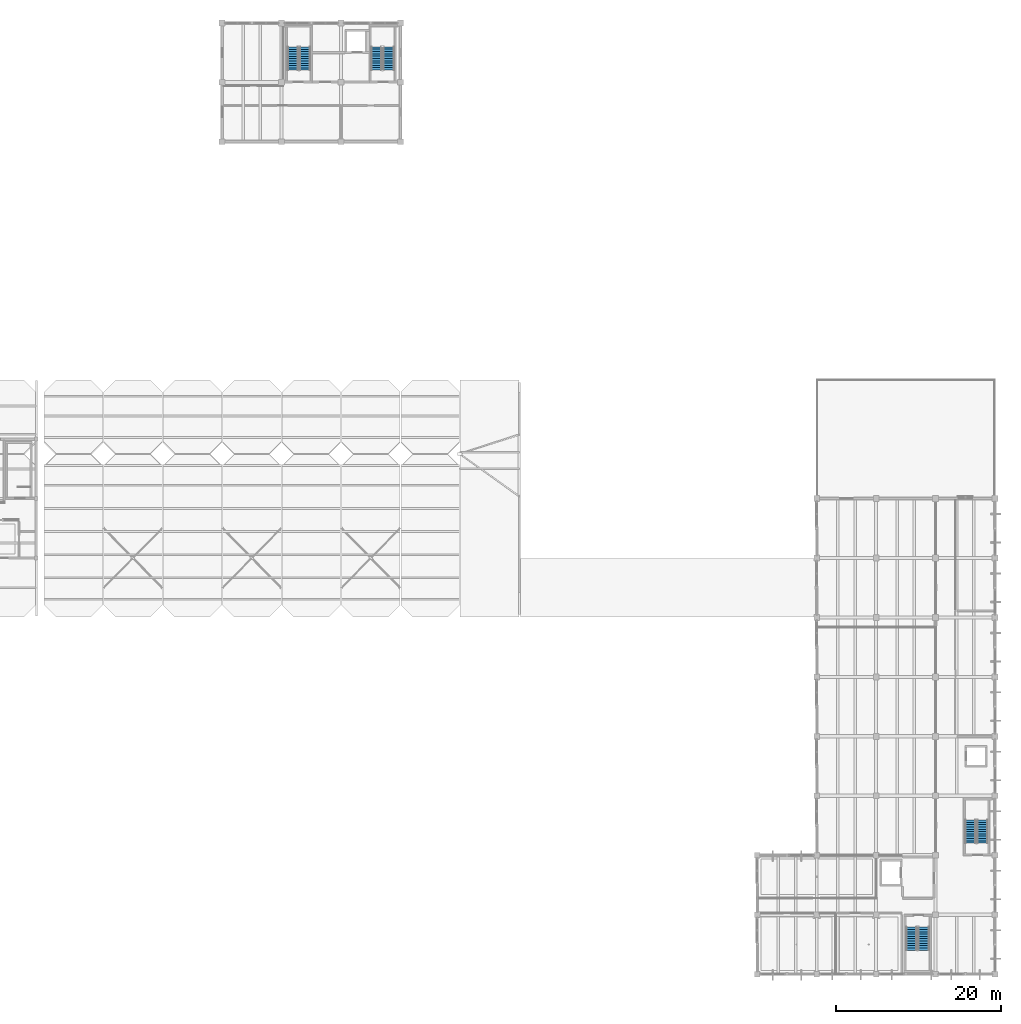
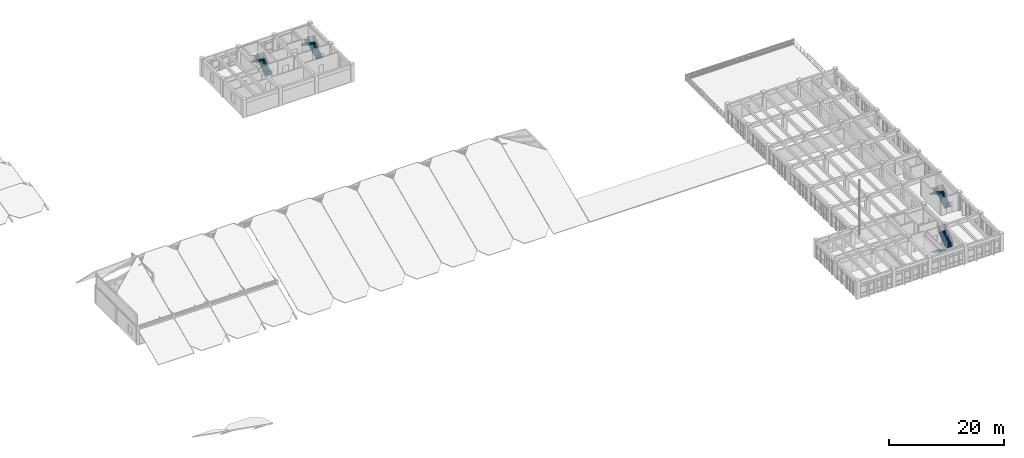
# One storey, part 44 of 54: 8 stair flights, 4 elements without a shape of their own.
"""IFC4 building model written with IfcOpenShell, lengths in metres."""

from ifc_helpers import new_model, si_unit, direction, frame, origin, place, context, subcontext, project, spatial, polyline, outline, extrude, material, type_object, element, aggregate, save


model = new_model("IFC4")

# Units and contexts
model_context = context("Model", 3, precision=1e-05, world=origin(), true_north=direction((0.0, 1.0)))
body_context = subcontext(model_context, "Body", "Model", "MODEL_VIEW")
ifc_project = project(units=[si_unit("LENGTHUNIT", "METRE"), si_unit("AREAUNIT", "SQUARE_METRE"), si_unit("VOLUMEUNIT", "CUBIC_METRE"), si_unit("PLANEANGLEUNIT", "RADIAN"), si_unit("MASSUNIT", "GRAM", prefix="KILO")], contexts=[model_context])

# Site, building, storey
site_placement = place(None, origin())
site = spatial("IfcSite", under=ifc_project, at=site_placement, CompositionType="ELEMENT")
building_placement = place(site_placement, origin())
building = spatial("IfcBuilding", under=site, at=building_placement, Name="Koriwan Promenade Central Fire Station", CompositionType="ELEMENT")
storey_placement = place(building_placement, frame((0.0, 0.0, 9.60009765625)))
storey = spatial("IfcBuildingStorey", under=building, at=storey_placement, Name="L02", CompositionType="ELEMENT", Elevation=9.60009765625)

# Stair, stair flights
ifc_material = material(Name="Concrete C35/45", Category="concrete")
stair_type_1 = type_object("IfcStairType", Name="Stair_HALF_22R_1320", PredefinedType="HALF_TURN_STAIR", material=ifc_material)
stair_1_placement = place(storey_placement, origin())
stair_1 = element("IfcStair", 1, at=stair_1_placement, inside=storey, type_object=stair_type_1, Name="L02 Protected Stair ST09", PredefinedType="HALF_TURN_STAIR")
stair_flight_type_1 = type_object("IfcStairFlightType", Name="StairFlight_11R_177H_1320", PredefinedType="STRAIGHT", material=ifc_material)
stair_flight_1_placement = place(storey_placement, frame((89.239990234375, 109.469970703125, 0.0), z_axis=(0.0, 0.0, 1.0), x_axis=(0.0, 1.0, 0.0)))
stair_flight_1 = element("IfcStairFlight", 2, at=stair_flight_1_placement, type_object=stair_flight_type_1, Name="ST09 flight 1", NumberOfRisers=11, NumberOfTreads=10, PredefinedType="STRAIGHT", RiserHeight=0.177272727, TreadLength=0.28, context=body_context, shape_type="SweptSolid", body=[
    extrude(outline(polyline([(0.0, 0.0), (0.0, 0.17724609375), (0.280029296875, 0.17724609375), (0.280029296875, 0.3544921875), (0.56005859375, 0.3544921875), (0.56005859375, 0.53173828125), (0.840087890625, 0.53173828125), (0.840087890625, 0.708984375), (1.1201171875, 0.708984375), (1.1201171875, 0.886474609375), (1.39990234375, 0.886474609375), (1.39990234375, 1.063720703125), (1.679931640625, 1.063720703125), (1.679931640625, 1.240966796875), (1.9599609375, 1.240966796875), (1.9599609375, 1.418212890625), (2.239990234375, 1.418212890625), (2.239990234375, 1.595458984375), (2.52001953125, 1.595458984375), (2.52001953125, 1.772705078125), (2.800048828125, 1.772705078125), (2.800048828125, 1.949951171875), (2.800048828125, 1.59521484375), (0.2802734375, 0.0), (0.0, 0.0)])), frame((0.0, 0.66015625, 0.0), z_axis=(0.0, -1.0, 0.0), x_axis=(1.0, 0.0, 0.0)), (0.0, 0.0, 1.0), 1.320068359375),
])
stair_flight_2_placement = place(storey_placement, frame((87.77001953125, 112.27001953125, 1.949951171875), z_axis=(0.0, 0.0, 1.0), x_axis=(0.0, -1.0, 0.0)))
stair_flight_2 = element("IfcStairFlight", 3, at=stair_flight_2_placement, type_object=stair_flight_type_1, Name="ST09 flight 2", NumberOfRisers=11, NumberOfTreads=10, PredefinedType="STRAIGHT", RiserHeight=0.177272727, TreadLength=0.28, context=body_context, shape_type="SweptSolid", body=[
    extrude(outline(polyline([(0.0, 0.0), (0.0, 0.17724609375), (0.280029296875, 0.17724609375), (0.280029296875, 0.3544921875), (0.56005859375, 0.3544921875), (0.56005859375, 0.53173828125), (0.840087890625, 0.53173828125), (0.840087890625, 0.708984375), (1.1201171875, 0.708984375), (1.1201171875, 0.886474609375), (1.39990234375, 0.886474609375), (1.39990234375, 1.063720703125), (1.679931640625, 1.063720703125), (1.679931640625, 1.240966796875), (1.9599609375, 1.240966796875), (1.9599609375, 1.418212890625), (2.239990234375, 1.418212890625), (2.239990234375, 1.595458984375), (2.52001953125, 1.595458984375), (2.52001953125, 1.772705078125), (2.800048828125, 1.772705078125), (2.800048828125, 1.949951171875), (2.800048828125, 1.59521484375), (0.2802734375, 0.0), (0.0, 0.0)])), frame((0.0, 0.66015625, 0.0), z_axis=(0.0, -1.0, 0.0), x_axis=(1.0, 0.0, 0.0)), (0.0, 0.0, 1.0), 1.320068359375),
])
aggregate(stair_1, [stair_flight_1, stair_flight_2])

stair_2_placement = place(storey_placement, origin())
stair_2 = element("IfcStair", 4, at=stair_2_placement, inside=storey, type_object=stair_type_1, Name="L02 Protected Stair ST27", PredefinedType="HALF_TURN_STAIR")
stair_flight_3_placement = place(storey_placement, frame((171.2900390625, 15.8701171875, 0.0), z_axis=(0.0, 0.0, 1.0), x_axis=(0.0, 1.0, 0.0)))
stair_flight_3 = element("IfcStairFlight", 5, at=stair_flight_3_placement, type_object=stair_flight_type_1, Name="ST27 flight 1", NumberOfRisers=11, NumberOfTreads=10, PredefinedType="STRAIGHT", RiserHeight=0.177272727, TreadLength=0.28, context=body_context, shape_type="SweptSolid", body=[
    extrude(outline(polyline([(0.0, 0.0), (0.0, 0.17724609375), (0.280029296875, 0.17724609375), (0.280029296875, 0.3544921875), (0.56005859375, 0.3544921875), (0.56005859375, 0.53173828125), (0.840087890625, 0.53173828125), (0.840087890625, 0.708984375), (1.1201171875, 0.708984375), (1.1201171875, 0.886474609375), (1.39990234375, 0.886474609375), (1.39990234375, 1.063720703125), (1.679931640625, 1.063720703125), (1.679931640625, 1.240966796875), (1.9599609375, 1.240966796875), (1.9599609375, 1.418212890625), (2.239990234375, 1.418212890625), (2.239990234375, 1.595458984375), (2.52001953125, 1.595458984375), (2.52001953125, 1.772705078125), (2.800048828125, 1.772705078125), (2.800048828125, 1.949951171875), (2.800048828125, 1.59521484375), (0.2802734375, 0.0), (0.0, 0.0)])), frame((0.0, 0.66015625, 0.0), z_axis=(0.0, -1.0, 0.0), x_axis=(1.0, 0.0, 0.0)), (0.0, 0.0, 1.0), 1.320068359375),
])
stair_flight_4_placement = place(storey_placement, frame((169.820068359375, 18.669921875, 1.949951171875), z_axis=(0.0, 0.0, 1.0), x_axis=(0.0, -1.0, 0.0)))
stair_flight_4 = element("IfcStairFlight", 6, at=stair_flight_4_placement, type_object=stair_flight_type_1, Name="ST27 flight 2", NumberOfRisers=11, NumberOfTreads=10, PredefinedType="STRAIGHT", RiserHeight=0.177272727, TreadLength=0.28, context=body_context, shape_type="SweptSolid", body=[
    extrude(outline(polyline([(0.0, 0.0), (0.0, 0.17724609375), (0.280029296875, 0.17724609375), (0.280029296875, 0.3544921875), (0.56005859375, 0.3544921875), (0.56005859375, 0.53173828125), (0.840087890625, 0.53173828125), (0.840087890625, 0.708984375), (1.1201171875, 0.708984375), (1.1201171875, 0.886474609375), (1.39990234375, 0.886474609375), (1.39990234375, 1.063720703125), (1.679931640625, 1.063720703125), (1.679931640625, 1.240966796875), (1.9599609375, 1.240966796875), (1.9599609375, 1.418212890625), (2.239990234375, 1.418212890625), (2.239990234375, 1.595458984375), (2.52001953125, 1.595458984375), (2.52001953125, 1.772705078125), (2.800048828125, 1.772705078125), (2.800048828125, 1.949951171875), (2.800048828125, 1.59521484375), (0.2802734375, 0.0), (0.0, 0.0)])), frame((0.0, 0.66015625, 0.0), z_axis=(0.0, -1.0, 0.0), x_axis=(1.0, 0.0, 0.0)), (0.0, 0.0, 1.0), 1.320068359375),
])
aggregate(stair_2, [stair_flight_3, stair_flight_4])

stair_type_2 = type_object("IfcStairType", Name="Stair_HALF_22R_1340", PredefinedType="HALF_TURN_STAIR", material=ifc_material)
stair_3_placement = place(storey_placement, origin())
stair_3 = element("IfcStair", 7, at=stair_3_placement, inside=storey, type_object=stair_type_2, Name="L02 Protected Stair ST04", PredefinedType="HALF_TURN_STAIR")
stair_flight_type_2 = type_object("IfcStairFlightType", Name="StairFlight_11R_177H_1340", PredefinedType="STRAIGHT", material=ifc_material)
stair_flight_5_placement = place(storey_placement, frame((99.3798828125, 109.489990234375, 0.0), z_axis=(0.0, 0.0, 1.0), x_axis=(0.0, 1.0, 0.0)))
stair_flight_5 = element("IfcStairFlight", 8, at=stair_flight_5_placement, type_object=stair_flight_type_2, Name="ST04 flight 1", NumberOfRisers=11, NumberOfTreads=10, PredefinedType="STRAIGHT", RiserHeight=0.177272727, TreadLength=0.28, context=body_context, shape_type="SweptSolid", body=[
    extrude(outline(polyline([(0.0, 0.0), (0.0, 0.17724609375), (0.280029296875, 0.17724609375), (0.280029296875, 0.3544921875), (0.56005859375, 0.3544921875), (0.56005859375, 0.53173828125), (0.840087890625, 0.53173828125), (0.840087890625, 0.708984375), (1.1201171875, 0.708984375), (1.1201171875, 0.886474609375), (1.39990234375, 0.886474609375), (1.39990234375, 1.063720703125), (1.679931640625, 1.063720703125), (1.679931640625, 1.240966796875), (1.9599609375, 1.240966796875), (1.9599609375, 1.418212890625), (2.239990234375, 1.418212890625), (2.239990234375, 1.595458984375), (2.52001953125, 1.595458984375), (2.52001953125, 1.772705078125), (2.800048828125, 1.772705078125), (2.800048828125, 1.949951171875), (2.800048828125, 1.59521484375), (0.2802734375, 0.0), (0.0, 0.0)])), frame((0.0, 0.669921875, 0.0), z_axis=(0.0, -1.0, 0.0), x_axis=(1.0, 0.0, 0.0)), (0.0, 0.0, 1.0), 1.340087890625),
])
stair_flight_6_placement = place(storey_placement, frame((97.889892578125, 112.2900390625, 1.949951171875), z_axis=(0.0, 0.0, 1.0), x_axis=(0.0, -1.0, 0.0)))
stair_flight_6 = element("IfcStairFlight", 9, at=stair_flight_6_placement, type_object=stair_flight_type_2, Name="ST04 flight 2", NumberOfRisers=11, NumberOfTreads=10, PredefinedType="STRAIGHT", RiserHeight=0.177272727, TreadLength=0.28, context=body_context, shape_type="SweptSolid", body=[
    extrude(outline(polyline([(0.0, 0.0), (0.0, 0.17724609375), (0.280029296875, 0.17724609375), (0.280029296875, 0.3544921875), (0.56005859375, 0.3544921875), (0.56005859375, 0.53173828125), (0.840087890625, 0.53173828125), (0.840087890625, 0.708984375), (1.1201171875, 0.708984375), (1.1201171875, 0.886474609375), (1.39990234375, 0.886474609375), (1.39990234375, 1.063720703125), (1.679931640625, 1.063720703125), (1.679931640625, 1.240966796875), (1.9599609375, 1.240966796875), (1.9599609375, 1.418212890625), (2.239990234375, 1.418212890625), (2.239990234375, 1.595458984375), (2.52001953125, 1.595458984375), (2.52001953125, 1.772705078125), (2.800048828125, 1.772705078125), (2.800048828125, 1.949951171875), (2.800048828125, 1.59521484375), (0.2802734375, 0.0), (0.0, 0.0)])), frame((0.0, 0.669921875, 0.0), z_axis=(0.0, -1.0, 0.0), x_axis=(1.0, 0.0, 0.0)), (0.0, 0.0, 1.0), 1.340087890625),
])
aggregate(stair_3, [stair_flight_5, stair_flight_6])

stair_type_3 = type_object("IfcStairType", Name="Stair_HALF_22R_1350", PredefinedType="HALF_TURN_STAIR", material=ifc_material)
stair_4_placement = place(storey_placement, origin())
stair_4 = element("IfcStair", 10, at=stair_4_placement, inside=storey, type_object=stair_type_3, Name="L02 Protected Stair ST22", PredefinedType="HALF_TURN_STAIR")
stair_flight_type_3 = type_object("IfcStairFlightType", Name="StairFlight_11R_177H_1350", PredefinedType="STRAIGHT", material=ifc_material)
stair_flight_7_placement = place(storey_placement, frame((162.675048828125, 5.699951171875, 0.0), z_axis=(0.0, 0.0, 1.0), x_axis=(0.0, -1.0, 0.0)))
stair_flight_7 = element("IfcStairFlight", 11, at=stair_flight_7_placement, type_object=stair_flight_type_3, Name="ST22 flight 1", NumberOfRisers=11, NumberOfTreads=10, PredefinedType="STRAIGHT", RiserHeight=0.177272727, TreadLength=0.28, context=body_context, shape_type="SweptSolid", body=[
    extrude(outline(polyline([(0.0, 0.0), (0.0, 0.17724609375), (0.280029296875, 0.17724609375), (0.280029296875, 0.3544921875), (0.56005859375, 0.3544921875), (0.56005859375, 0.53173828125), (0.840087890625, 0.53173828125), (0.840087890625, 0.708984375), (1.1201171875, 0.708984375), (1.1201171875, 0.886474609375), (1.39990234375, 0.886474609375), (1.39990234375, 1.063720703125), (1.679931640625, 1.063720703125), (1.679931640625, 1.240966796875), (1.9599609375, 1.240966796875), (1.9599609375, 1.418212890625), (2.239990234375, 1.418212890625), (2.239990234375, 1.595458984375), (2.52001953125, 1.595458984375), (2.52001953125, 1.772705078125), (2.800048828125, 1.772705078125), (2.800048828125, 1.949951171875), (2.800048828125, 1.59521484375), (0.2802734375, 0.0), (0.0, 0.0)])), frame((0.0, 0.675048828125, 0.0), z_axis=(0.0, -1.0, 0.0), x_axis=(1.0, 0.0, 0.0)), (0.0, 0.0, 1.0), 1.35009765625),
])
stair_flight_8_placement = place(storey_placement, frame((164.175048828125, 2.89990234375, 1.949951171875), z_axis=(0.0, 0.0, 1.0), x_axis=(0.0, 1.0, 0.0)))
stair_flight_8 = element("IfcStairFlight", 12, at=stair_flight_8_placement, type_object=stair_flight_type_3, Name="ST22 flight 2", NumberOfRisers=11, NumberOfTreads=10, PredefinedType="STRAIGHT", RiserHeight=0.177272727, TreadLength=0.28, context=body_context, shape_type="SweptSolid", body=[
    extrude(outline(polyline([(0.0, 0.0), (0.0, 0.17724609375), (0.280029296875, 0.17724609375), (0.280029296875, 0.3544921875), (0.56005859375, 0.3544921875), (0.56005859375, 0.53173828125), (0.840087890625, 0.53173828125), (0.840087890625, 0.708984375), (1.1201171875, 0.708984375), (1.1201171875, 0.886474609375), (1.39990234375, 0.886474609375), (1.39990234375, 1.063720703125), (1.679931640625, 1.063720703125), (1.679931640625, 1.240966796875), (1.9599609375, 1.240966796875), (1.9599609375, 1.418212890625), (2.239990234375, 1.418212890625), (2.239990234375, 1.595458984375), (2.52001953125, 1.595458984375), (2.52001953125, 1.772705078125), (2.800048828125, 1.772705078125), (2.800048828125, 1.949951171875), (2.800048828125, 1.59521484375), (0.2802734375, 0.0), (0.0, 0.0)])), frame((0.0, 0.675048828125, 0.0), z_axis=(0.0, -1.0, 0.0), x_axis=(1.0, 0.0, 0.0)), (0.0, 0.0, 1.0), 1.35009765625),
])
aggregate(stair_4, [stair_flight_7, stair_flight_8])

save(model, "model.ifc")
